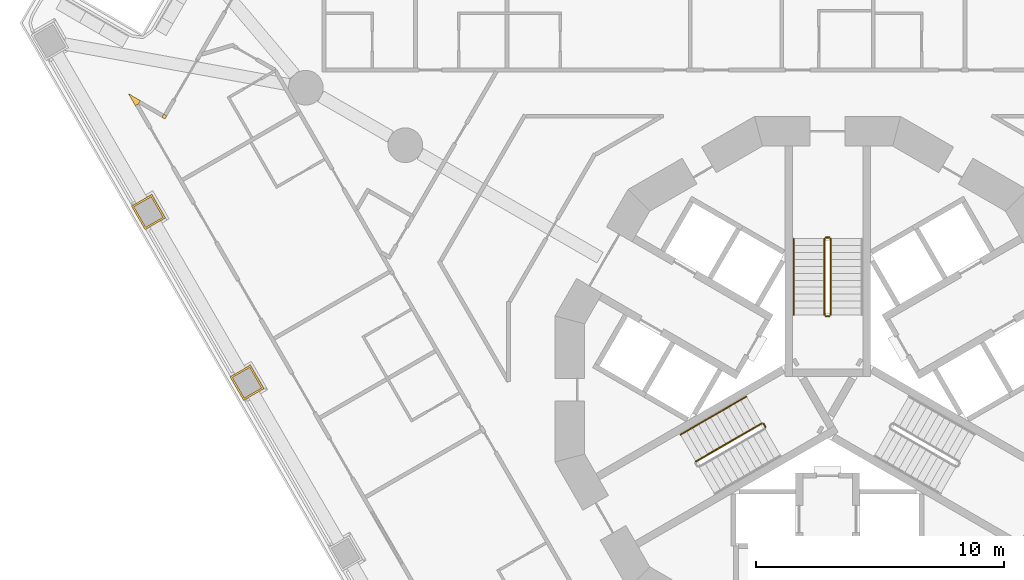
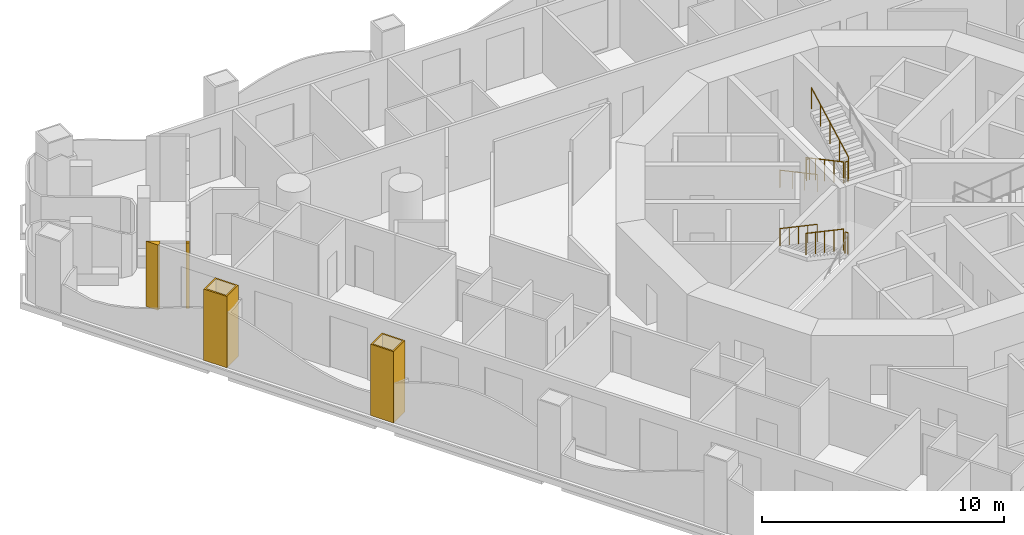
# One storey, part 15 of 19: 9 railings, 4 coverings.
"""IFC4 building model written with IfcOpenShell, lengths in metres."""

from ifc_helpers import new_model, si_unit, direction, frame, origin, origin_2d, place, context, subcontext, project, spatial, polyline, circle, outline, extrude, material, layer, layer_set, type_object, element, save


model = new_model("IFC4")

# Units and contexts
model_context = context("Model", 3, precision=1e-05, world=origin(), true_north=direction((0.0, 1.0)))
body_context = subcontext(model_context, "Body", "Model", "MODEL_VIEW")
ifc_project = project(units=[si_unit("LENGTHUNIT", "METRE"), si_unit("AREAUNIT", "SQUARE_METRE"), si_unit("VOLUMEUNIT", "CUBIC_METRE"), si_unit("PLANEANGLEUNIT", "RADIAN"), si_unit("MASSUNIT", "GRAM", prefix="KILO")], contexts=[model_context])

# Site, building, storey
site_placement = place(None, origin())
site = spatial("IfcSite", under=ifc_project, at=site_placement, CompositionType="ELEMENT")
building_placement = place(site_placement, origin())
building = spatial("IfcBuilding", under=site, at=building_placement, Name="Trine Commons Tower", CompositionType="ELEMENT")
storey_placement = place(building_placement, frame((0.0, 0.0, 31.5)))
storey = spatial("IfcBuildingStorey", under=building, at=storey_placement, Name="L06", CompositionType="ELEMENT", Elevation=31.5)

# Coverings
ifc_material_1 = material(Name="Aluminium-framed insulated wall panel", Category="aluminium")
ifc_layer_1 = layer(ifc_material_1, 0.14990234375)
ifc_layer_set_1 = layer_set([ifc_layer_1], Name="Aluminium-framed insulated wall panel")
covering_type_1 = type_object("IfcCoveringType", Name="Glazing corner post, aluminium", PredefinedType="CLADDING", material=ifc_layer_set_1)
covering_1_placement = place(storey_placement, origin())
element("IfcCovering", 1, at=covering_1_placement, inside=storey, type_object=covering_type_1, Name="Glazing corner post 1-01", PredefinedType="CLADDING", context=body_context, shape_type="SweptSolid", body=[
    extrude(outline(polyline([(51.75634765625, 74.43017578125), (51.75634765625, 74.43017578125), (52.036376953125, 73.9453125), (52.166259765625, 74.020263671875), (52.166259765625, 74.020263671875), (52.166259765625, 74.020263671875), (52.166259765625, 74.020263671875), (52.2412109375, 74.150146484375), (51.75634765625, 74.43017578125)])), origin(), (0.0, 0.0, 1.0), 3.300048828125),
])
covering_2_placement = place(storey_placement, origin())
element("IfcCovering", 2, at=covering_2_placement, inside=storey, type_object=covering_type_1, Name="Glazing corner post 1-02", PredefinedType="CLADDING", context=body_context, shape_type="SweptSolid", body=[
    extrude(outline(polyline([(53.1064453125, 73.4775390625), (53.236328125, 73.402587890625), (53.311279296875, 73.532470703125), (53.181396484375, 73.607421875), (53.1064453125, 73.4775390625)])), origin(), (0.0, 0.0, 1.0), 3.300048828125),
])
ifc_material_2 = material(Name="Limestone, honed", Category="masonry")
ifc_layer_2 = layer(ifc_material_2, 0.074951171875)
ifc_layer_set_2 = layer_set([ifc_layer_2], Name="Limestone, honed")
covering_type_2 = type_object("IfcCoveringType", Name="Limestone column cladding 75", PredefinedType="CLADDING", material=ifc_layer_set_2)
covering_3_placement = place(storey_placement, origin())
element("IfcCovering", 3, at=covering_3_placement, inside=storey, type_object=covering_type_2, Name="Limestone pier cladding 1-06", PredefinedType="CLADDING", context=body_context, shape_type="SweptSolid", body=[
    extrude(outline(polyline([(56.68359375, 63.46630859375), (55.860595703125, 62.9912109375), (56.41064453125, 62.03857421875), (57.2333984375, 62.513671875), (56.68359375, 63.46630859375)]), holes=[polyline([(56.656005859375, 63.36376953125), (55.963134765625, 62.9638671875), (56.438232421875, 62.14111328125), (57.131103515625, 62.541015625), (56.656005859375, 63.36376953125)])]), origin(), (0.0, 0.0, 1.0), 3.60009765625),
])
covering_4_placement = place(storey_placement, origin())
element("IfcCovering", 4, at=covering_4_placement, inside=storey, type_object=covering_type_2, Name="Limestone pier cladding 1-07", PredefinedType="CLADDING", context=body_context, shape_type="SweptSolid", body=[
    extrude(outline(polyline([(52.701904296875, 70.36279296875), (51.87890625, 69.8876953125), (52.428955078125, 68.93505859375), (53.251708984375, 69.41015625), (52.701904296875, 70.36279296875)]), holes=[polyline([(52.67431640625, 70.26025390625), (51.9814453125, 69.8603515625), (52.45654296875, 69.03759765625), (53.1494140625, 69.4375), (52.67431640625, 70.26025390625)])]), origin(), (0.0, 0.0, 1.0), 3.60009765625),
])

# Railings
ifc_material_3 = material(Name="Stainless steel balustrade", Category="steel")
railing_type_1 = type_object("IfcRailingType", Name="Stair guard, steel balustrade 1100", PredefinedType="GUARDRAIL", material=ifc_material_3)
railing_1_placement = place(storey_placement, frame((79.875, 68.570556640625, 0.14990234375)))
element("IfcRailing", 5, at=railing_1_placement, inside=storey, type_object=railing_type_1, Name="L06 ST1A stair guard 1", PredefinedType="GUARDRAIL", context=body_context, shape_type="SweptSolid", body=[
    extrude(circle(Radius=0.02392578125, at=origin_2d()), frame((0.0, 0.0, 1.076171875), z_axis=(0.0, -0.881467505477, 0.472244678941), x_axis=(1.0, 0.0, 0.0)), (0.0, 0.0, 1.0), 3.494140625),
    extrude(circle(Radius=0.02099609375, at=origin_2d()), origin(), (0.0, 0.0, 1.0), 1.052001953125),
    extrude(circle(Radius=0.02099609375, at=origin_2d()), frame((0.0, -0.77001953125, 0.41259765625)), (0.0, 0.0, 1.0), 1.052001953125),
    extrude(circle(Radius=0.02099609375, at=origin_2d()), frame((0.0, -1.5400390625, 0.8251953125)), (0.0, 0.0, 1.0), 1.052001953125),
    extrude(circle(Radius=0.02099609375, at=origin_2d()), frame((0.0, -2.31005859375, 1.237548828125)), (0.0, 0.0, 1.0), 1.052001953125),
    extrude(circle(Radius=0.02099609375, at=origin_2d()), frame((0.0, -3.080078125, 1.650146484375)), (0.0, 0.0, 1.0), 1.052001953125),
])
railing_2_placement = place(storey_placement, frame((79.925048828125, 65.440673828125, 1.800048828125)))
element("IfcRailing", 6, at=railing_2_placement, inside=storey, type_object=railing_type_1, Name="L06 ST1A stair guard 2", PredefinedType="GUARDRAIL", context=body_context, shape_type="SweptSolid", body=[
    extrude(circle(Radius=0.02392578125, at=origin_2d()), frame((0.0, 0.0, 1.076171875), z_axis=(1.0, 0.0, 0.0), x_axis=(0.0, 1.0, 0.0)), (0.0, 0.0, 1.0), 0.14990234375),
    extrude(circle(Radius=0.02099609375, at=origin_2d()), origin(), (0.0, 0.0, 1.0), 1.052001953125),
    extrude(circle(Radius=0.02099609375, at=origin_2d()), frame((0.14990234375, 0.0, 0.0)), (0.0, 0.0, 1.0), 1.052001953125),
])
railing_3_placement = place(storey_placement, frame((80.125, 65.490478515625, 1.949951171875)))
element("IfcRailing", 7, at=railing_3_placement, inside=storey, type_object=railing_type_1, Name="L06 ST1A stair guard 3", PredefinedType="GUARDRAIL", context=body_context, shape_type="SweptSolid", body=[
    extrude(circle(Radius=0.02392578125, at=origin_2d()), frame((0.0, 0.0, 1.076171875), z_axis=(0.0, 0.881467505477, 0.472244678941), x_axis=(-1.0, 0.0, 0.0)), (0.0, 0.0, 1.0), 3.494140625),
    extrude(circle(Radius=0.02099609375, at=origin_2d()), origin(), (0.0, 0.0, 1.0), 1.052001953125),
    extrude(circle(Radius=0.02099609375, at=origin_2d()), frame((0.0, 0.77001953125, 0.41259765625)), (0.0, 0.0, 1.0), 1.052001953125),
    extrude(circle(Radius=0.02099609375, at=origin_2d()), frame((0.0, 1.5400390625, 0.8251953125)), (0.0, 0.0, 1.0), 1.052001953125),
    extrude(circle(Radius=0.02099609375, at=origin_2d()), frame((0.0, 2.31005859375, 1.237548828125)), (0.0, 0.0, 1.0), 1.052001953125),
    extrude(circle(Radius=0.02099609375, at=origin_2d()), frame((0.0, 3.080078125, 1.650146484375)), (0.0, 0.0, 1.0), 1.052001953125),
])
railing_4_placement = place(storey_placement, frame((79.925048828125, 68.62060546875, 0.0)))
element("IfcRailing", 8, at=railing_4_placement, inside=storey, type_object=railing_type_1, Name="L06 ST1A stair guard 4", PredefinedType="GUARDRAIL", context=body_context, shape_type="SweptSolid", body=[
    extrude(circle(Radius=0.02392578125, at=origin_2d()), frame((0.0, 0.0, 1.076171875), z_axis=(1.0, 0.0, 0.0), x_axis=(0.0, 1.0, 0.0)), (0.0, 0.0, 1.0), 0.14990234375),
    extrude(circle(Radius=0.02099609375, at=origin_2d()), origin(), (0.0, 0.0, 1.0), 1.052001953125),
    extrude(circle(Radius=0.02099609375, at=origin_2d()), frame((0.14990234375, 0.0, 0.0)), (0.0, 0.0, 1.0), 1.052001953125),
])
railing_5_placement = place(storey_placement, frame((77.490966796875, 60.96484375, 1.800048828125)))
element("IfcRailing", 9, at=railing_5_placement, inside=storey, type_object=railing_type_1, Name="L06 ST2A stair guard 2", PredefinedType="GUARDRAIL", context=body_context, shape_type="SweptSolid", body=[
    extrude(circle(Radius=0.02392578125, at=origin_2d()), frame((0.0, 0.0, 1.076171875), z_axis=(-0.501036270542, 0.865426285481, 0.0), x_axis=(-0.865426285481, -0.501036270542, 0.0)), (0.0, 0.0, 1.0), 0.150146484375),
    extrude(circle(Radius=0.02099609375, at=origin_2d()), origin(), (0.0, 0.0, 1.0), 1.052001953125),
    extrude(circle(Radius=0.02099609375, at=origin_2d()), frame((-0.0751953125, 0.1298828125, 0.0)), (0.0, 0.0, 1.0), 1.052001953125),
])
railing_6_placement = place(storey_placement, frame((77.34765625, 61.113037109375, 1.949951171875)))
element("IfcRailing", 10, at=railing_6_placement, inside=storey, type_object=railing_type_1, Name="L06 ST2A stair guard 3", PredefinedType="GUARDRAIL", context=body_context, shape_type="SweptSolid", body=[
    extrude(circle(Radius=0.02392578125, at=origin_2d()), frame((0.0, 0.0, 1.076171875), z_axis=(-0.763379768245, -0.440728498818, 0.472239049384), x_axis=(0.499992328818, -0.866029832698, 0.0)), (0.0, 0.0, 1.0), 3.494384765625),
    extrude(circle(Radius=0.02099609375, at=origin_2d()), origin(), (0.0, 0.0, 1.0), 1.052001953125),
    extrude(circle(Radius=0.02099609375, at=origin_2d()), frame((-0.6669921875, -0.385009765625, 0.41259765625)), (0.0, 0.0, 1.0), 1.052001953125),
    extrude(circle(Radius=0.02099609375, at=origin_2d()), frame((-1.333740234375, -0.77001953125, 0.8251953125)), (0.0, 0.0, 1.0), 1.052001953125),
    extrude(circle(Radius=0.02099609375, at=origin_2d()), frame((-2.00048828125, -1.155029296875, 1.237548828125)), (0.0, 0.0, 1.0), 1.052001953125),
    extrude(circle(Radius=0.02099609375, at=origin_2d()), frame((-2.66748046875, -1.5400390625, 1.650146484375)), (0.0, 0.0, 1.0), 1.052001953125),
])
ifc_material_4 = material(Name="Stainless steel handrail", Category="steel")
railing_type_2 = type_object("IfcRailingType", Name="Stair handrail, steel 900", PredefinedType="HANDRAIL", material=ifc_material_4)
railing_7_placement = place(storey_placement, frame((78.625, 68.570556640625, 0.14990234375)))
element("IfcRailing", 11, at=railing_7_placement, inside=storey, type_object=railing_type_2, Name="L06 ST1A stair handrail 1", PredefinedType="HANDRAIL", context=body_context, shape_type="SweptSolid", body=[
    extrude(circle(Radius=0.02099609375, at=origin_2d()), frame((0.0, 0.0, 0.87890625), z_axis=(0.0, -0.881467505477, 0.472244678941), x_axis=(1.0, 0.0, 0.0)), (0.0, 0.0, 1.0), 3.494140625),
    extrude(circle(Radius=0.01513671875, at=origin_2d()), origin(), (0.0, 0.0, 1.0), 0.85791015625),
    extrude(circle(Radius=0.01513671875, at=origin_2d()), frame((0.0, -1.026611328125, 0.550048828125)), (0.0, 0.0, 1.0), 0.85791015625),
    extrude(circle(Radius=0.01513671875, at=origin_2d()), frame((0.0, -2.053466796875, 1.10009765625)), (0.0, 0.0, 1.0), 0.85791015625),
    extrude(circle(Radius=0.01513671875, at=origin_2d()), frame((0.0, -3.080078125, 1.650146484375)), (0.0, 0.0, 1.0), 0.85791015625),
])
railing_8_placement = place(storey_placement, frame((76.72265625, 62.195556640625, 1.949951171875)))
element("IfcRailing", 12, at=railing_8_placement, inside=storey, type_object=railing_type_2, Name="L06 ST2A stair handrail 3", PredefinedType="HANDRAIL", context=body_context, shape_type="SweptSolid", body=[
    extrude(circle(Radius=0.02099609375, at=origin_2d()), frame((0.0, 0.0, 0.87890625), z_axis=(-0.76340495495, -0.440743040072, 0.472184759798), x_axis=(0.499992328818, -0.866029832698, 0.0)), (0.0, 0.0, 1.0), 1.7470703125),
    extrude(circle(Radius=0.01513671875, at=origin_2d()), origin(), (0.0, 0.0, 1.0), 0.85791015625),
    extrude(circle(Radius=0.01513671875, at=origin_2d()), frame((-0.6669921875, -0.385009765625, 0.41259765625)), (0.0, 0.0, 1.0), 0.85791015625),
    extrude(circle(Radius=0.01513671875, at=origin_2d()), frame((-1.333740234375, -0.77001953125, 0.824951171875)), (0.0, 0.0, 1.0), 0.85791015625),
])
railing_9_placement = place(storey_placement, frame((75.388916015625, 61.425537109375, 2.77490234375)))
element("IfcRailing", 13, at=railing_9_placement, inside=storey, type_object=railing_type_2, Name="L06 ST2A stair handrail 4", PredefinedType="HANDRAIL", context=body_context, shape_type="SweptSolid", body=[
    extrude(circle(Radius=0.02099609375, at=origin_2d()), frame((0.0, 0.0, 0.87890625), z_axis=(-0.763354580307, -0.440713956853, 0.472293333596), x_axis=(0.499992328818, -0.866029832698, 0.0)), (0.0, 0.0, 1.0), 1.747314453125),
    extrude(circle(Radius=0.01513671875, at=origin_2d()), origin(), (0.0, 0.0, 1.0), 0.85791015625),
    extrude(circle(Radius=0.01513671875, at=origin_2d()), frame((-0.6669921875, -0.385009765625, 0.41259765625)), (0.0, 0.0, 1.0), 0.85791015625),
    extrude(circle(Radius=0.01513671875, at=origin_2d()), frame((-1.333740234375, -0.77001953125, 0.8251953125)), (0.0, 0.0, 1.0), 0.85791015625),
])

save(model, "model.ifc")
